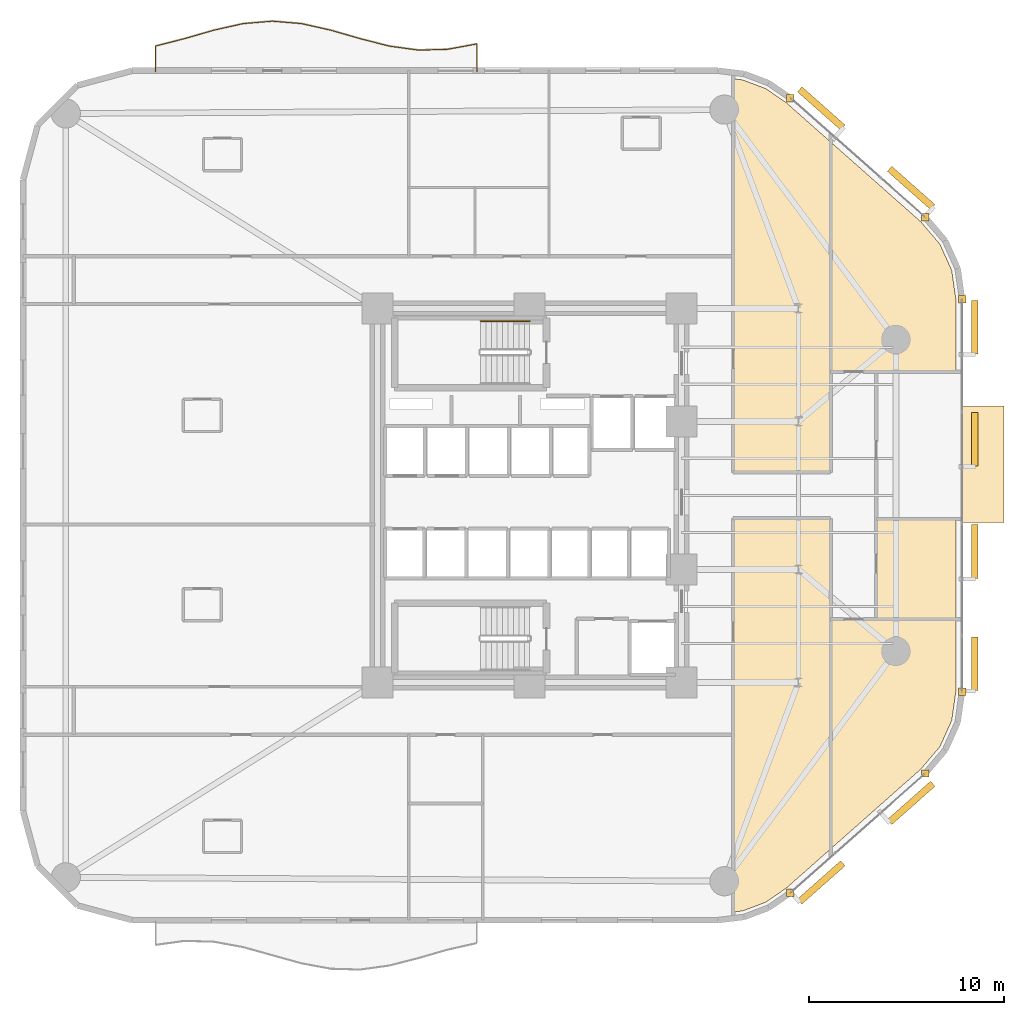
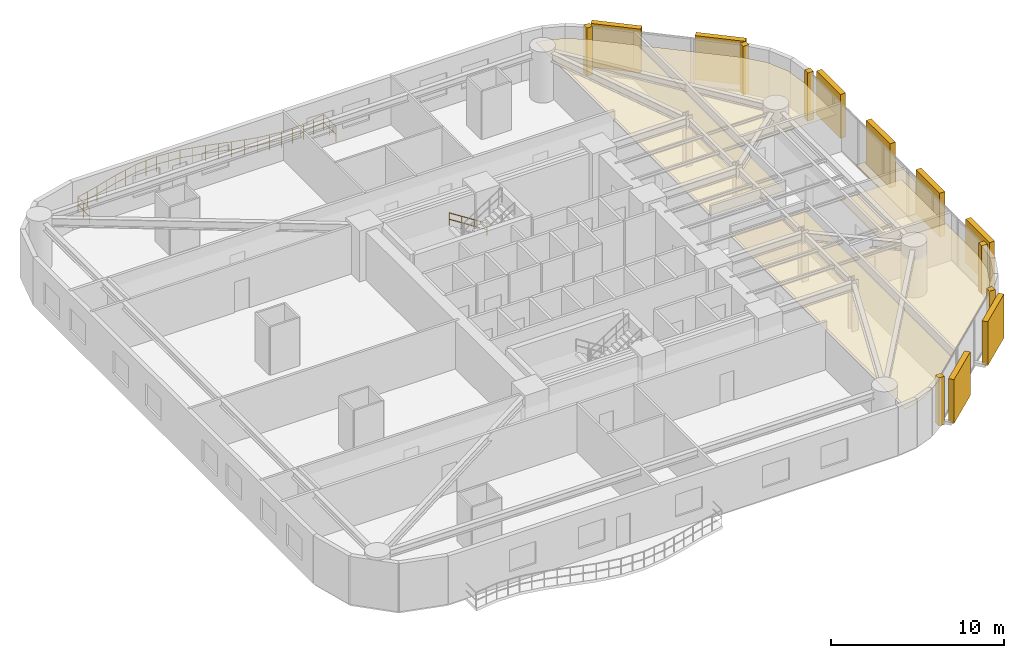
# One storey, part 16 of 16: 12 coverings, 8 shading devices, 2 railings.
"""IFC4 building model written with IfcOpenShell, lengths in metres."""

from ifc_helpers import new_model, si_unit, direction, frame, origin, origin_2d, place, context, subcontext, project, spatial, polyline, rectangle, circle, outline, extrude, material, layer, layer_set, type_object, element, save


model = new_model("IFC4")

# Units and contexts
model_context = context("Model", 3, precision=1e-05, world=origin(), true_north=direction((0.0, 1.0)))
body_context = subcontext(model_context, "Body", "Model", "MODEL_VIEW")
ifc_project = project(units=[si_unit("LENGTHUNIT", "METRE"), si_unit("AREAUNIT", "SQUARE_METRE"), si_unit("VOLUMEUNIT", "CUBIC_METRE"), si_unit("PLANEANGLEUNIT", "RADIAN"), si_unit("MASSUNIT", "GRAM", prefix="KILO")], contexts=[model_context])

# Site, building, storey
site_placement = place(None, origin())
site = spatial("IfcSite", under=ifc_project, at=site_placement, CompositionType="ELEMENT")
building_placement = place(site_placement, origin())
building = spatial("IfcBuilding", under=site, at=building_placement, Name="An Khanh Terracotta Commons", CompositionType="ELEMENT")
storey_placement = place(building_placement, frame((0.0, 0.0, 50.39990234375)))
storey = spatial("IfcBuildingStorey", under=building, at=storey_placement, Name="L13", CompositionType="ELEMENT", Elevation=50.39990234375)

# Coverings
ifc_material_1 = material(Name="Perforated Mineral-Fibre Acoustic Tile")
ifc_layer_1 = layer(ifc_material_1, 0.02001953125, Name="Perforated Mineral-Fibre Acoustic Tile")
ifc_layer_set_1 = layer_set([ifc_layer_1], Name="Perforated Mineral-Fibre Acoustic Tile")
covering_type_1 = type_object("IfcCoveringType", Name="CEIL-ACOUSTIC-18", PredefinedType="CEILING", material=ifc_layer_set_1)
covering_1_placement = place(storey_placement, frame((0.0, 0.0, 2.650146484375)))
element("IfcCovering", 1, at=covering_1_placement, inside=storey, type_object=covering_type_1, Name="L13 Academic Seminar Room Ceiling", PredefinedType="CEILING", context=body_context, shape_type="SweptSolid", body=[
    extrude(outline(polyline([(40.340087890625, 45.324951171875), (41.529052734375, 44.875), (42.591064453125, 44.14208984375), (44.85009765625, 42.14404296875), (44.85009765625, 30.35009765625), (44.85009765625, 25.179931640625), (39.85009765625, 25.179931640625), (39.85009765625, 33.820068359375), (39.85009765625, 36.280029296875), (39.85009765625, 45.384033203125), (40.340087890625, 45.324951171875)])), origin(), (0.0, 0.0, 1.0), 0.02001953125),
])
covering_2_placement = place(storey_placement, frame((0.0, 0.0, 2.650146484375)))
element("IfcCovering", 2, at=covering_2_placement, inside=storey, type_object=covering_type_1, Name="L13 Academic Seminar Room Ceiling", PredefinedType="CEILING", context=body_context, shape_type="SweptSolid", body=[
    extrude(outline(polyline([(42.591064453125, 3.85791015625), (41.529052734375, 3.125), (40.340087890625, 2.675048828125), (39.85009765625, 2.615966796875), (39.85009765625, 11.719970703125), (39.85009765625, 14.179931640625), (39.85009765625, 22.820068359375), (44.85009765625, 22.820068359375), (44.85009765625, 17.64990234375), (44.85009765625, 5.85595703125), (42.591064453125, 3.85791015625)])), origin(), (0.0, 0.0, 1.0), 0.02001953125),
])
covering_3_placement = place(storey_placement, frame((0.0, 0.0, 2.650146484375)))
element("IfcCovering", 3, at=covering_3_placement, inside=storey, type_object=covering_type_1, Name="L13 Academic Seminar Room Ceiling", PredefinedType="CEILING", context=body_context, shape_type="SweptSolid", body=[
    extrude(outline(polyline([(49.48095703125, 38.047119140625), (50.458984375, 36.89892578125), (51.069091796875, 35.547119140625), (51.280029296875, 34.053955078125), (51.280029296875, 30.35009765625), (47.199951171875, 30.35009765625), (44.85009765625, 30.35009765625), (44.85009765625, 42.14404296875), (49.48095703125, 38.047119140625)])), origin(), (0.0, 0.0, 1.0), 0.02001953125),
])
covering_4_placement = place(storey_placement, frame((0.0, 0.0, 2.650146484375)))
element("IfcCovering", 4, at=covering_4_placement, inside=storey, type_object=covering_type_1, Name="L13 Academic Seminar Room Ceiling", PredefinedType="CEILING", context=body_context, shape_type="SweptSolid", body=[
    extrude(outline(polyline([(51.280029296875, 13.946044921875), (51.069091796875, 12.452880859375), (50.458984375, 11.10107421875), (49.48095703125, 9.952880859375), (44.85009765625, 5.85595703125), (44.85009765625, 17.64990234375), (47.199951171875, 17.64990234375), (51.280029296875, 17.64990234375), (51.280029296875, 13.946044921875)])), origin(), (0.0, 0.0, 1.0), 0.02001953125),
])
covering_5_placement = place(storey_placement, frame((0.0, 0.0, 2.650146484375)))
element("IfcCovering", 5, at=covering_5_placement, inside=storey, type_object=covering_type_1, Name="L13 Riverfront Study Lounge Ceiling", PredefinedType="CEILING", context=body_context, shape_type="SweptSolid", body=[
    extrude(outline(polyline([(51.280029296875, 17.64990234375), (47.199951171875, 17.64990234375), (47.199951171875, 22.800048828125), (51.280029296875, 22.800048828125), (51.280029296875, 17.64990234375)])), origin(), (0.0, 0.0, 1.0), 0.02001953125),
])
ifc_material_2 = material(Name="Fired Terracotta Rainscreen Cladding", Category="masonry")
ifc_layer_2 = layer(ifc_material_2, 0.080078125, Name="Fired Terracotta Rainscreen Cladding")
ifc_layer_set_2 = layer_set([ifc_layer_2], Name="Fired Terracotta Rainscreen Cladding")
covering_type_2 = type_object("IfcCoveringType", Name="COV-JAMB-TERRA", PredefinedType="CLADDING", material=ifc_layer_set_2)
for number, where, z_axis, x_axis, name in (
    (6, (42.7890625, 3.60595703125, 0.000244140625), (0.0, 0.0, 1.0), (1.0, 0.0, 0.0), "L13 CW-02 Curtain-Wall Jamb Closure JA"),
    (7, (49.7099609375, 9.72802734375, 0.000244140625), (0.0, 0.0, 1.0), (1.0, 0.0, 0.0), "L13 CW-02 Curtain-Wall Jamb Closure JB"),
    (8, (51.60009765625, 13.923095703125, 0.000244140625), (0.0, 0.0, 1.0), (1.0, 0.0, 0.0), "L13 CW-02 Curtain-Wall Jamb Closure JA"),
    (9, (51.60009765625, 34.076904296875, 0.000244140625), (0.0, 0.0, 1.0), (1.0, 0.0, 0.0), "L13 CW-02 Curtain-Wall Jamb Closure JB"),
    (10, (49.7099609375, 38.27197265625, 0.000244140625), (0.0, 0.0, 1.0), (1.0, 0.0, 0.0), "L13 CW-02 Curtain-Wall Jamb Closure JA"),
    (11, (42.7890625, 44.39404296875, 0.000244140625), (0.0, 0.0, 1.0), (1.0, 0.0, 0.0), "L13 CW-02 Curtain-Wall Jamb Closure JB"),
):
    element("IfcCovering", number, at=place(storey_placement, frame(where, z_axis=z_axis, x_axis=x_axis)), inside=storey, type_object=covering_type_2, Name=name, PredefinedType="CLADDING", context=body_context, shape_type="SweptSolid", body=[
        extrude(rectangle(XDim=0.3798828125, YDim=0.3798828125, at=origin_2d()), origin(), (0.0, 0.0, 1.0), 3.39990234375),
    ])
ifc_material_3 = material(Name="Planted Garden Waterproofing Membrane")
ifc_layer_3 = layer(ifc_material_3, 0.080078125, Name="Planted Garden Waterproofing Membrane")
ifc_layer_set_3 = layer_set([ifc_layer_3], Name="Planted Garden Waterproofing Membrane")
covering_type_3 = type_object("IfcCoveringType", Name="COV-ROOFING-GREEN", PredefinedType="ROOFING", material=ifc_layer_set_3)
covering_6_placement = place(storey_placement, origin())
element("IfcCovering", 12, at=covering_6_placement, inside=storey, type_object=covering_type_3, Name="L13 Shifted Box Roof Waterproofing (L12)", PredefinedType="ROOFING", context=body_context, shape_type="SweptSolid", body=[
    extrude(outline(polyline([(51.60009765625, 22.60009765625), (53.75, 22.60009765625), (53.75, 28.60009765625), (51.60009765625, 28.60009765625), (51.60009765625, 22.60009765625)])), origin(), (0.0, 0.0, 1.0), 0.06005859375),
])

# Railings
ifc_material_4 = material(Name="Brushed Stainless Steel 316", Category="steel")
railing_type_1 = type_object("IfcRailingType", Name="RAIL-BALUSTRADE-1100", PredefinedType="BALUSTRADE", material=ifc_material_4)
railing_1_placement = place(storey_placement, frame((26.699951171875, 45.739990234375, 0.0)))
element("IfcRailing", 13, at=railing_1_placement, inside=storey, type_object=railing_type_1, Name="L13 N Wave Balcony Guard Balustrade", PredefinedType="BALUSTRADE", context=body_context, shape_type="SweptSolid", body=[
    extrude(circle(Radius=0.02392578125, at=origin_2d()), frame((0.0, 0.0, 1.076171875), z_axis=(0.0, 1.0, 0.0), x_axis=(-1.0, 0.0, 0.0)), (0.0, 0.0, 1.0), 1.43310546875),
    extrude(circle(Radius=0.02392578125, at=origin_2d()), frame((0.0, 0.0, 0.52587890625), z_axis=(0.0, 1.0, 0.0), x_axis=(-1.0, 0.0, 0.0)), (0.0, 0.0, 1.0), 1.43310546875),
    extrude(circle(Radius=0.02392578125, at=origin_2d()), frame((0.0, 1.43310546875, 1.076171875), z_axis=(-0.983475695992, -0.181040203803, 0.0), x_axis=(0.181040203803, -0.983475695992, 0.0)), (0.0, 0.0, 1.0), 1.525146484375),
    extrude(circle(Radius=0.02392578125, at=origin_2d()), frame((0.0, 1.43310546875, 0.52587890625), z_axis=(-0.983475695992, -0.181040203803, 0.0), x_axis=(0.181040203803, -0.983475695992, 0.0)), (0.0, 0.0, 1.0), 1.525146484375),
    extrude(circle(Radius=0.02392578125, at=origin_2d()), frame((-1.5, 1.156982421875, 1.076171875), z_axis=(-0.999589960453, -0.028634087409, 0.0), x_axis=(0.028634087409, -0.999589960453, 0.0)), (0.0, 0.0, 1.0), 1.500732421875),
    extrude(circle(Radius=0.02392578125, at=origin_2d()), frame((-1.5, 1.156982421875, 0.52587890625), z_axis=(-0.999589960453, -0.028634087409, 0.0), x_axis=(0.028634087409, -0.999589960453, 0.0)), (0.0, 0.0, 1.0), 1.500732421875),
    extrude(circle(Radius=0.02392578125, at=origin_2d()), frame((-3.0, 1.114013671875, 1.076171875), z_axis=(-0.990696239711, 0.136091736054, 0.0), x_axis=(-0.136091736054, -0.990696239711, 0.0)), (0.0, 0.0, 1.0), 1.51416015625),
    extrude(circle(Radius=0.02392578125, at=origin_2d()), frame((-3.0, 1.114013671875, 0.52587890625), z_axis=(-0.990696239711, 0.136091736054, 0.0), x_axis=(-0.136091736054, -0.990696239711, 0.0)), (0.0, 0.0, 1.0), 1.51416015625),
    extrude(circle(Radius=0.02392578125, at=origin_2d()), frame((-4.5, 1.320068359375, 1.076171875), z_axis=(-0.968754262999, 0.248022535107, 0.0), x_axis=(-0.248022535107, -0.968754262999, 0.0)), (0.0, 0.0, 1.0), 1.54833984375),
    extrude(circle(Radius=0.02392578125, at=origin_2d()), frame((-4.5, 1.320068359375, 0.52587890625), z_axis=(-0.968754262999, 0.248022535107, 0.0), x_axis=(-0.248022535107, -0.968754262999, 0.0)), (0.0, 0.0, 1.0), 1.54833984375),
    extrude(circle(Radius=0.02392578125, at=origin_2d()), frame((-6.0, 1.7041015625, 1.076171875), z_axis=(-0.960794755374, 0.277260595911, 0.0), x_axis=(-0.277260595911, -0.960794755374, 0.0)), (0.0, 0.0, 1.0), 1.561279296875),
    extrude(circle(Radius=0.02392578125, at=origin_2d()), frame((-6.0, 1.7041015625, 0.52587890625), z_axis=(-0.960794755374, 0.277260595911, 0.0), x_axis=(-0.277260595911, -0.960794755374, 0.0)), (0.0, 0.0, 1.0), 1.561279296875),
    extrude(circle(Radius=0.02392578125, at=origin_2d()), frame((-7.5, 2.136962890625, 1.076171875), z_axis=(-0.975657344328, 0.21930058472, 0.0), x_axis=(-0.21930058472, -0.975657344328, 0.0)), (0.0, 0.0, 1.0), 1.537353515625),
    extrude(circle(Radius=0.02392578125, at=origin_2d()), frame((-7.5, 2.136962890625, 0.52587890625), z_axis=(-0.975657344328, 0.21930058472, 0.0), x_axis=(-0.21930058472, -0.975657344328, 0.0)), (0.0, 0.0, 1.0), 1.537353515625),
    extrude(circle(Radius=0.02392578125, at=origin_2d()), frame((-9.0, 2.47412109375, 1.076171875), z_axis=(-0.996491859681, 0.083689746028, 0.0), x_axis=(-0.083689746028, -0.996491859681, 0.0)), (0.0, 0.0, 1.0), 1.50537109375),
    extrude(circle(Radius=0.02392578125, at=origin_2d()), frame((-9.0, 2.47412109375, 0.52587890625), z_axis=(-0.996491859681, 0.083689746028, 0.0), x_axis=(-0.083689746028, -0.996491859681, 0.0)), (0.0, 0.0, 1.0), 1.50537109375),
    extrude(circle(Radius=0.02392578125, at=origin_2d()), frame((-10.5, 2.60009765625, 1.076171875), z_axis=(-0.996491859681, -0.083689746028, 0.0), x_axis=(0.083689746028, -0.996491859681, 0.0)), (0.0, 0.0, 1.0), 1.50537109375),
    extrude(circle(Radius=0.02392578125, at=origin_2d()), frame((-10.5, 2.60009765625, 0.52587890625), z_axis=(-0.996491859681, -0.083689746028, 0.0), x_axis=(0.083689746028, -0.996491859681, 0.0)), (0.0, 0.0, 1.0), 1.50537109375),
    extrude(circle(Radius=0.02392578125, at=origin_2d()), frame((-12.0, 2.47412109375, 1.076171875), z_axis=(-0.975657344328, -0.21930058472, 0.0), x_axis=(0.21930058472, -0.975657344328, 0.0)), (0.0, 0.0, 1.0), 1.537353515625),
    extrude(circle(Radius=0.02392578125, at=origin_2d()), frame((-12.0, 2.47412109375, 0.52587890625), z_axis=(-0.975657344328, -0.21930058472, 0.0), x_axis=(0.21930058472, -0.975657344328, 0.0)), (0.0, 0.0, 1.0), 1.537353515625),
    extrude(circle(Radius=0.02392578125, at=origin_2d()), frame((-13.5, 2.136962890625, 1.076171875), z_axis=(-0.960794755374, -0.277260595911, 0.0), x_axis=(0.277260595911, -0.960794755374, 0.0)), (0.0, 0.0, 1.0), 1.561279296875),
    extrude(circle(Radius=0.02392578125, at=origin_2d()), frame((-13.5, 2.136962890625, 0.52587890625), z_axis=(-0.960794755374, -0.277260595911, 0.0), x_axis=(0.277260595911, -0.960794755374, 0.0)), (0.0, 0.0, 1.0), 1.561279296875),
    extrude(circle(Radius=0.02392578125, at=origin_2d()), frame((-15.0, 1.7041015625, 1.076171875), z_axis=(-0.968754262999, -0.248022535107, 0.0), x_axis=(0.248022535107, -0.968754262999, 0.0)), (0.0, 0.0, 1.0), 1.54833984375),
    extrude(circle(Radius=0.02392578125, at=origin_2d()), frame((-15.0, 1.7041015625, 0.52587890625), z_axis=(-0.968754262999, -0.248022535107, 0.0), x_axis=(0.248022535107, -0.968754262999, 0.0)), (0.0, 0.0, 1.0), 1.54833984375),
    extrude(circle(Radius=0.02392578125, at=origin_2d()), frame((-16.5, 1.320068359375, 1.076171875), z_axis=(0.0, -1.0, 0.0), x_axis=(1.0, 0.0, 0.0)), (0.0, 0.0, 1.0), 1.320068359375),
    extrude(circle(Radius=0.02392578125, at=origin_2d()), frame((-16.5, 1.320068359375, 0.52587890625), z_axis=(0.0, -1.0, 0.0), x_axis=(1.0, 0.0, 0.0)), (0.0, 0.0, 1.0), 1.320068359375),
    extrude(circle(Radius=0.02099609375, at=origin_2d()), origin(), (0.0, 0.0, 1.0), 1.052001953125),
    extrude(circle(Radius=0.02099609375, at=origin_2d()), frame((0.0, 0.716552734375, 0.0)), (0.0, 0.0, 1.0), 1.052001953125),
    extrude(circle(Radius=0.02099609375, at=origin_2d()), frame((0.0, 1.43310546875, 0.0)), (0.0, 0.0, 1.0), 1.052001953125),
    extrude(circle(Radius=0.02099609375, at=origin_2d()), frame((-0.75, 1.294921875, 0.0)), (0.0, 0.0, 1.0), 1.052001953125),
    extrude(circle(Radius=0.02099609375, at=origin_2d()), frame((-1.5, 1.156982421875, 0.0)), (0.0, 0.0, 1.0), 1.052001953125),
    extrude(circle(Radius=0.02099609375, at=origin_2d()), frame((-2.25, 1.135498046875, 0.0)), (0.0, 0.0, 1.0), 1.052001953125),
    extrude(circle(Radius=0.02099609375, at=origin_2d()), frame((-3.0, 1.114013671875, 0.0)), (0.0, 0.0, 1.0), 1.052001953125),
    extrude(circle(Radius=0.02099609375, at=origin_2d()), frame((-3.75, 1.217041015625, 0.0)), (0.0, 0.0, 1.0), 1.052001953125),
    extrude(circle(Radius=0.02099609375, at=origin_2d()), frame((-4.5, 1.320068359375, 0.0)), (0.0, 0.0, 1.0), 1.052001953125),
    extrude(circle(Radius=0.02099609375, at=origin_2d()), frame((-5.25, 1.51220703125, 0.0)), (0.0, 0.0, 1.0), 1.052001953125),
    extrude(circle(Radius=0.02099609375, at=origin_2d()), frame((-6.0, 1.7041015625, 0.0)), (0.0, 0.0, 1.0), 1.052001953125),
    extrude(circle(Radius=0.02099609375, at=origin_2d()), frame((-6.75, 1.92041015625, 0.0)), (0.0, 0.0, 1.0), 1.052001953125),
    extrude(circle(Radius=0.02099609375, at=origin_2d()), frame((-7.5, 2.136962890625, 0.0)), (0.0, 0.0, 1.0), 1.052001953125),
    extrude(circle(Radius=0.02099609375, at=origin_2d()), frame((-8.25, 2.3056640625, 0.0)), (0.0, 0.0, 1.0), 1.052001953125),
    extrude(circle(Radius=0.02099609375, at=origin_2d()), frame((-9.0, 2.47412109375, 0.0)), (0.0, 0.0, 1.0), 1.052001953125),
    extrude(circle(Radius=0.02099609375, at=origin_2d()), frame((-9.75, 2.537109375, 0.0)), (0.0, 0.0, 1.0), 1.052001953125),
    extrude(circle(Radius=0.02099609375, at=origin_2d()), frame((-10.5, 2.60009765625, 0.0)), (0.0, 0.0, 1.0), 1.052001953125),
    extrude(circle(Radius=0.02099609375, at=origin_2d()), frame((-11.25, 2.537109375, 0.0)), (0.0, 0.0, 1.0), 1.052001953125),
    extrude(circle(Radius=0.02099609375, at=origin_2d()), frame((-12.0, 2.47412109375, 0.0)), (0.0, 0.0, 1.0), 1.052001953125),
    extrude(circle(Radius=0.02099609375, at=origin_2d()), frame((-12.75, 2.3056640625, 0.0)), (0.0, 0.0, 1.0), 1.052001953125),
    extrude(circle(Radius=0.02099609375, at=origin_2d()), frame((-13.5, 2.136962890625, 0.0)), (0.0, 0.0, 1.0), 1.052001953125),
    extrude(circle(Radius=0.02099609375, at=origin_2d()), frame((-14.25, 1.92041015625, 0.0)), (0.0, 0.0, 1.0), 1.052001953125),
    extrude(circle(Radius=0.02099609375, at=origin_2d()), frame((-15.0, 1.7041015625, 0.0)), (0.0, 0.0, 1.0), 1.052001953125),
    extrude(circle(Radius=0.02099609375, at=origin_2d()), frame((-15.75, 1.51220703125, 0.0)), (0.0, 0.0, 1.0), 1.052001953125),
    extrude(circle(Radius=0.02099609375, at=origin_2d()), frame((-16.5, 1.320068359375, 0.0)), (0.0, 0.0, 1.0), 1.052001953125),
    extrude(circle(Radius=0.02099609375, at=origin_2d()), frame((-16.5, 0.66015625, 0.0)), (0.0, 0.0, 1.0), 1.052001953125),
    extrude(circle(Radius=0.02099609375, at=origin_2d()), frame((-16.5, 0.0, 0.0)), (0.0, 0.0, 1.0), 1.052001953125),
])
railing_type_2 = type_object("IfcRailingType", Name="RAIL-HANDRAIL-900", PredefinedType="HANDRAIL", material=ifc_material_4)
railing_2_placement = place(storey_placement, frame((29.409912109375, 32.949951171875, 0.18017578125)))
element("IfcRailing", 14, at=railing_2_placement, inside=storey, type_object=railing_type_2, Name="L13 ST-01 stair handrail 1", PredefinedType="HANDRAIL", context=body_context, shape_type="SweptSolid", body=[
    extrude(circle(Radius=0.02392578125, at=origin_2d()), frame((0.0, 0.0, 0.8759765625), z_axis=(-0.841199657755, 0.0, 0.540724639528), x_axis=(0.0, -1.0, 0.0)), (0.0, 0.0, 1.0), 2.995849609375),
    extrude(circle(Radius=0.02392578125, at=origin_2d()), frame((0.0, 0.0, 0.42578125), z_axis=(-0.841199657755, 0.0, 0.540724639528), x_axis=(0.0, -1.0, 0.0)), (0.0, 0.0, 1.0), 2.995849609375),
    extrude(circle(Radius=0.02099609375, at=origin_2d()), origin(), (0.0, 0.0, 1.0), 0.851806640625),
    extrude(circle(Radius=0.02099609375, at=origin_2d()), frame((-0.840087890625, 0.0, 0.5400390625)), (0.0, 0.0, 1.0), 0.851806640625),
    extrude(circle(Radius=0.02099609375, at=origin_2d()), frame((-1.679931640625, 0.0, 1.079833984375)), (0.0, 0.0, 1.0), 0.851806640625),
    extrude(circle(Radius=0.02099609375, at=origin_2d()), frame((-2.52001953125, 0.0, 1.619873046875)), (0.0, 0.0, 1.0), 0.851806640625),
])

# Shading devices
ifc_material_5 = material(Name="Extruded Fired Terracotta", Category="masonry")
shading_device_type = type_object("IfcShadingDeviceType", Name="Terracotta Baguette Screen Assembly", PredefinedType="USERDEFINED", material=ifc_material_5)
for number, where, z_axis, x_axis, name in (
    (15, (44.373046875, 4.138916015625, 0.150146484375), (0.0, 0.0, 1.0), (0.749019284633, 0.662548195415, 0.0), "L13 Terracotta Baguette Screen 1"),
    (16, (48.987060546875, 8.220947265625, 0.150146484375), (0.0, 0.0, 1.0), (0.749019284633, 0.662548195415, 0.0), "L13 Terracotta Baguette Screen 3"),
):
    element("IfcShadingDevice", number, at=place(storey_placement, frame(where, z_axis=z_axis, x_axis=x_axis)), inside=storey, type_object=shading_device_type, Name=name, ObjectType="BAGUETTE", PredefinedType="USERDEFINED", context=body_context, shape_type="SweptSolid", body=[
        extrude(rectangle(XDim=2.9599609375, YDim=0.35009765625, at=origin_2d()), origin(), (0.0, 0.0, 1.0), 3.10009765625),
    ])
for number, where, z_axis, x_axis, name in (
    (17, (52.25, 15.363037109375, 0.150146484375), (0.0, 0.0, 1.0), (0.0, 1.0, 0.0), "L13 Terracotta Baguette Screen 1"),
    (18, (52.25, 21.12109375, 0.150146484375), (0.0, 0.0, 1.0), (0.0, 1.0, 0.0), "L13 Terracotta Baguette Screen 3"),
    (19, (52.25, 26.87890625, 0.150146484375), (0.0, 0.0, 1.0), (0.0, 1.0, 0.0), "L13 Terracotta Baguette Screen 5"),
    (20, (52.25, 32.636962890625, 0.150146484375), (0.0, 0.0, 1.0), (0.0, 1.0, 0.0), "L13 Terracotta Baguette Screen 7"),
):
    element("IfcShadingDevice", number, at=place(storey_placement, frame(where, z_axis=z_axis, x_axis=x_axis)), inside=storey, type_object=shading_device_type, Name=name, ObjectType="BAGUETTE", PredefinedType="USERDEFINED", context=body_context, shape_type="SweptSolid", body=[
        extrude(rectangle(XDim=2.759033203125, YDim=0.35009765625, at=origin_2d()), origin(), (0.0, 0.0, 1.0), 3.10009765625),
    ])
for number, where, z_axis, x_axis, name in (
    (21, (48.987060546875, 39.779052734375, 0.150146484375), (0.0, 0.0, 1.0), (-0.749019284633, 0.662548195415, 0.0), "L13 Terracotta Baguette Screen 1"),
    (22, (44.373046875, 43.861083984375, 0.150146484375), (0.0, 0.0, 1.0), (-0.749019284633, 0.662548195415, 0.0), "L13 Terracotta Baguette Screen 3"),
):
    element("IfcShadingDevice", number, at=place(storey_placement, frame(where, z_axis=z_axis, x_axis=x_axis)), inside=storey, type_object=shading_device_type, Name=name, ObjectType="BAGUETTE", PredefinedType="USERDEFINED", context=body_context, shape_type="SweptSolid", body=[
        extrude(rectangle(XDim=2.9599609375, YDim=0.35009765625, at=origin_2d()), origin(), (0.0, 0.0, 1.0), 3.10009765625),
    ])

save(model, "model.ifc")
